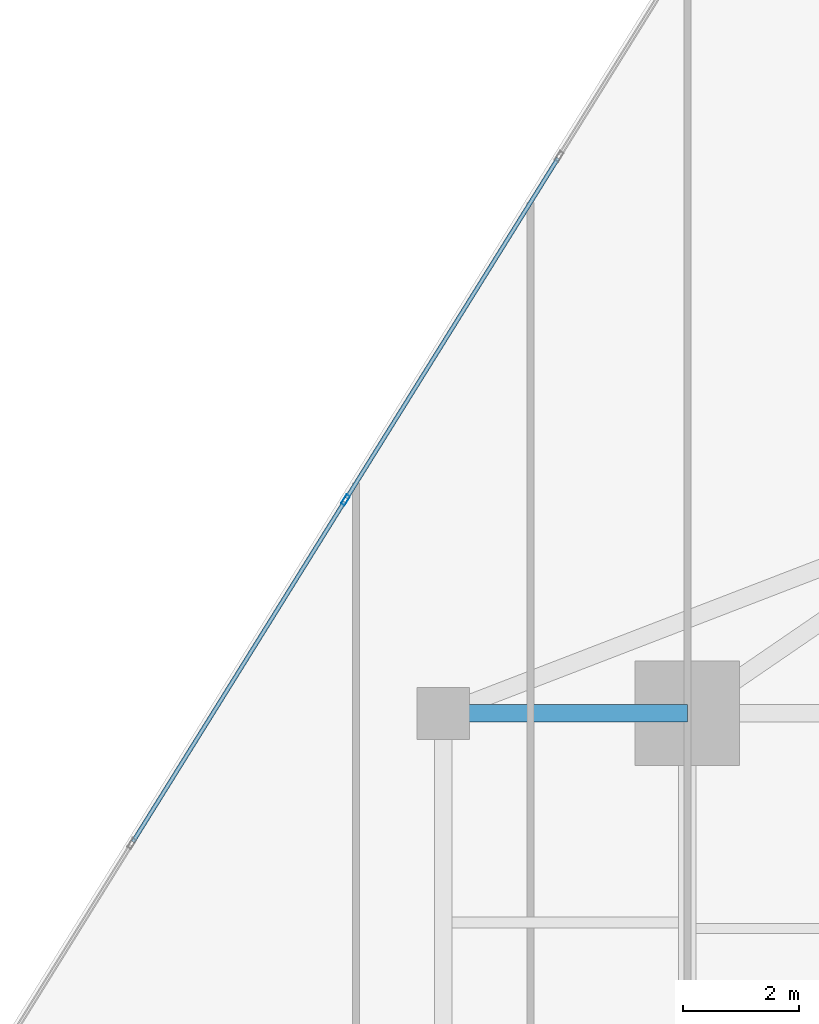
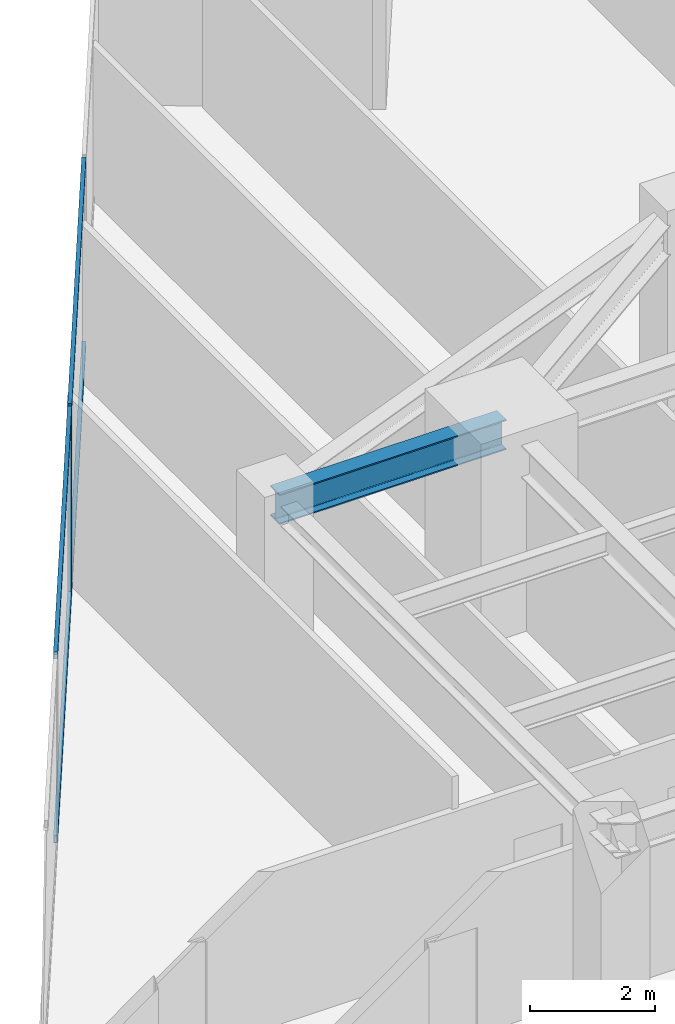
# One storey, part 13 of 25: 5 members, 1 beam, 1 element without a shape of its own.
"""IFC4 building model written with IfcOpenShell, lengths in metres."""

from ifc_helpers import new_model, si_unit, direction, frame, origin, origin_2d, place, context, subcontext, project, spatial, hollow_rectangle, i_section, extrude, source, transform, mapped, material, material_profile, profile_set, type_object, type_shapes, element, aggregate, save


model = new_model("IFC4")

# Units and contexts
model_context = context("Model", 3, precision=1e-05, world=origin(), true_north=direction((0.0, 1.0)))
body_context = subcontext(model_context, "Body", "Model", "MODEL_VIEW")
ifc_project = project(units=[si_unit("LENGTHUNIT", "METRE"), si_unit("AREAUNIT", "SQUARE_METRE"), si_unit("VOLUMEUNIT", "CUBIC_METRE"), si_unit("PLANEANGLEUNIT", "RADIAN"), si_unit("MASSUNIT", "GRAM", prefix="KILO")], contexts=[model_context])

# Site, building, storey
site_placement = place(None, origin())
site = spatial("IfcSite", under=ifc_project, at=site_placement, CompositionType="ELEMENT")
building_placement = place(site_placement, origin())
building = spatial("IfcBuilding", under=site, at=building_placement, Name="Krantzveldt Concourse Tower", CompositionType="ELEMENT")
storey_placement = place(building_placement, frame((0.0, 0.0, 177.800048828125)))
storey = spatial("IfcBuildingStorey", under=building, at=storey_placement, Name="L43", CompositionType="ELEMENT", Elevation=177.800048828125)

# Beam
ifc_material_1 = material(Name="Steel S355JR", Category="steel")
ifc_material_profile_1 = material_profile(ifc_material_1, i_section(OverallWidth=0.300048828125, OverallDepth=0.590087890625, WebThickness=0.012939453125, FlangeThickness=0.02490234375, FilletRadius=0.027099609375, at=origin_2d()), Name="Steel S355JR", Category="steel")
ifc_profile_set_1 = profile_set([ifc_material_profile_1], Name="Steel S355JR - HEA 600")
beam_type = type_object("IfcBeamType", Name="BM-B-HEA600", PredefinedType="BEAM", material=ifc_profile_set_1)
shared_shape_1 = source(origin(), body_context, "Body", "SweptSolid", [
    extrude(i_section(OverallWidth=0.300048828125, OverallDepth=0.590087890625, WebThickness=0.012939453125, FlangeThickness=0.02490234375, FilletRadius=0.027099609375, at=origin_2d()), origin(), (0.0, 0.0, 1.0), 4.199951171875),
])
type_shapes(beam_type, [shared_shape_1])
beam_placement = place(storey_placement, frame((21.0, 37.5, 3.375), z_axis=(1.0, 0.0, 0.0), x_axis=(0.0, 1.0, 0.0)))
element("IfcBeam", 1, at=beam_placement, inside=storey, type_object=beam_type, Name="L43 Tower Girder BR-RL3", PredefinedType="BEAM", context=body_context, shape_type="MappedRepresentation", body=[
    mapped(shared_shape_1, transform((0.0, 0.0, 0.0), x_axis=(1.0, 0.0, 0.0), y_axis=(0.0, 1.0, 0.0), z_axis=(0.0, 0.0, 1.0), scale=1.0)),
])

# Curtain wall, members
ifc_material_2 = material(Name="Anodised aluminium 6063-T6", Category="aluminium")
curtain_wall_type = type_object("IfcCurtainWallType", Name="CW3", PredefinedType="USERDEFINED", material=ifc_material_2)
curtain_wall_placement = place(storey_placement, origin())
curtain_wall = element("IfcCurtainWall", 2, at=curtain_wall_placement, inside=storey, type_object=curtain_wall_type, Name="CW-L43-F01", ObjectType="UNITISED CURTAIN WALL", PredefinedType="USERDEFINED")
ifc_material_profile_2 = material_profile(ifc_material_2, hollow_rectangle(XDim=0.070068359375, YDim=0.179931640625, WallThickness=0.0048828125, at=origin_2d()), Name="Anodised aluminium 6063-T6", Category="aluminium")
ifc_profile_set_2 = profile_set([ifc_material_profile_2], Name="Anodised aluminium 6063-T6 - ALU-MULL 180x70x5")
member_type_1 = type_object("IfcMemberType", Name="CW-MUL-180", PredefinedType="MULLION", material=ifc_profile_set_2)
shared_shape_2 = source(origin(), body_context, "Body", "SweptSolid", [
    extrude(hollow_rectangle(XDim=0.070068359375, YDim=0.179931640625, WallThickness=0.0048828125, at=origin_2d()), origin(), (0.0, 0.0, 1.0), 3.669921875),
])
type_shapes(member_type_1, [shared_shape_2])
member_1_placement = place(storey_placement, frame((19.316650390625, 41.17236328125, 0.0), z_axis=(0.0, 0.0, 1.0), x_axis=(0.84920214961, -0.528067901977, 0.0)))
member_1 = element("IfcMember", 3, at=member_1_placement, type_object=member_type_1, Name="CW-Z34 mullion 3", PredefinedType="MULLION", context=body_context, shape_type="MappedRepresentation", body=[
    mapped(shared_shape_2, transform((0.0, 0.0, 0.0), x_axis=(1.0, 0.0, 0.0), y_axis=(0.0, 1.0, 0.0), z_axis=(0.0, 0.0, 1.0), scale=1.0)),
])
ifc_material_profile_3 = material_profile(ifc_material_2, hollow_rectangle(XDim=0.070068359375, YDim=0.139892578125, WallThickness=0.0048828125, at=origin_2d()), Name="Anodised aluminium 6063-T6", Category="aluminium")
ifc_profile_set_3 = profile_set([ifc_material_profile_3], Name="Anodised aluminium 6063-T6 - ALU-TRAN 140x70x5")
member_type_2 = type_object("IfcMemberType", Name="CW-TRN-150", PredefinedType="USERDEFINED", material=ifc_profile_set_3)
shared_shape_3 = source(origin(), body_context, "Body", "SweptSolid", [
    extrude(hollow_rectangle(XDim=0.070068359375, YDim=0.139892578125, WallThickness=0.0048828125, at=origin_2d()), origin(), (0.0, 0.0, 1.0), 6.89013671875),
])
member_2_placement = place(storey_placement, frame((22.973388671875, 47.05322265625, 0.034912109375), z_axis=(-0.528067429464, -0.849202443437, 0.0), x_axis=(0.849202443437, -0.528067429464, 0.0)))
member_2 = element("IfcMember", 4, at=member_2_placement, type_object=member_type_2, Name="CW-Z34 transom 2.1", ObjectType="TRANSOM", PredefinedType="USERDEFINED", context=body_context, shape_type="MappedRepresentation", body=[
    mapped(shared_shape_3, transform((0.0, 0.0, 0.0), x_axis=(1.0, 0.0, 0.0), y_axis=(0.0, 1.0, 0.0), z_axis=(0.0, 0.0, 1.0), scale=1.0)),
])
member_3_placement = place(storey_placement, frame((22.973388671875, 47.05322265625, 3.635009765625), z_axis=(-0.528067429464, -0.849202443437, 0.0), x_axis=(0.849202443437, -0.528067429464, 0.0)))
member_3 = element("IfcMember", 5, at=member_3_placement, type_object=member_type_2, Name="CW-Z34 transom 2.2", ObjectType="TRANSOM", PredefinedType="USERDEFINED", context=body_context, shape_type="MappedRepresentation", body=[
    mapped(shared_shape_3, transform((0.0, 0.0, 0.0), x_axis=(1.0, 0.0, 0.0), y_axis=(0.0, 1.0, 0.0), z_axis=(0.0, 0.0, 1.0), scale=1.0)),
])
shared_shape_4 = source(origin(), body_context, "Body", "SweptSolid", [
    extrude(hollow_rectangle(XDim=0.070068359375, YDim=0.139892578125, WallThickness=0.0048828125, at=origin_2d()), origin(), (0.0, 0.0, 1.0), 6.889892578125),
])
type_shapes(member_type_2, [shared_shape_3, shared_shape_4])
member_4_placement = place(storey_placement, frame((19.298095703125, 41.142578125, 0.034912109375), z_axis=(-0.528083319572, -0.849192562138, 0.0), x_axis=(0.849192562138, -0.528083319572, 0.0)))
member_4 = element("IfcMember", 6, at=member_4_placement, type_object=member_type_2, Name="CW-Z34 transom 3.1", ObjectType="TRANSOM", PredefinedType="USERDEFINED", context=body_context, shape_type="MappedRepresentation", body=[
    mapped(shared_shape_4, transform((0.0, 0.0, 0.0), x_axis=(1.0, 0.0, 0.0), y_axis=(0.0, 1.0, 0.0), z_axis=(0.0, 0.0, 1.0), scale=1.0)),
])
member_5_placement = place(storey_placement, frame((19.298095703125, 41.142578125, 3.635009765625), z_axis=(-0.528083319572, -0.849192562138, 0.0), x_axis=(0.849192562138, -0.528083319572, 0.0)))
member_5 = element("IfcMember", 7, at=member_5_placement, type_object=member_type_2, Name="CW-Z34 transom 3.2", ObjectType="TRANSOM", PredefinedType="USERDEFINED", context=body_context, shape_type="MappedRepresentation", body=[
    mapped(shared_shape_4, transform((0.0, 0.0, 0.0), x_axis=(1.0, 0.0, 0.0), y_axis=(0.0, 1.0, 0.0), z_axis=(0.0, 0.0, 1.0), scale=1.0)),
])
aggregate(curtain_wall, [member_1, member_2, member_3, member_4, member_5])

save(model, "model.ifc")
